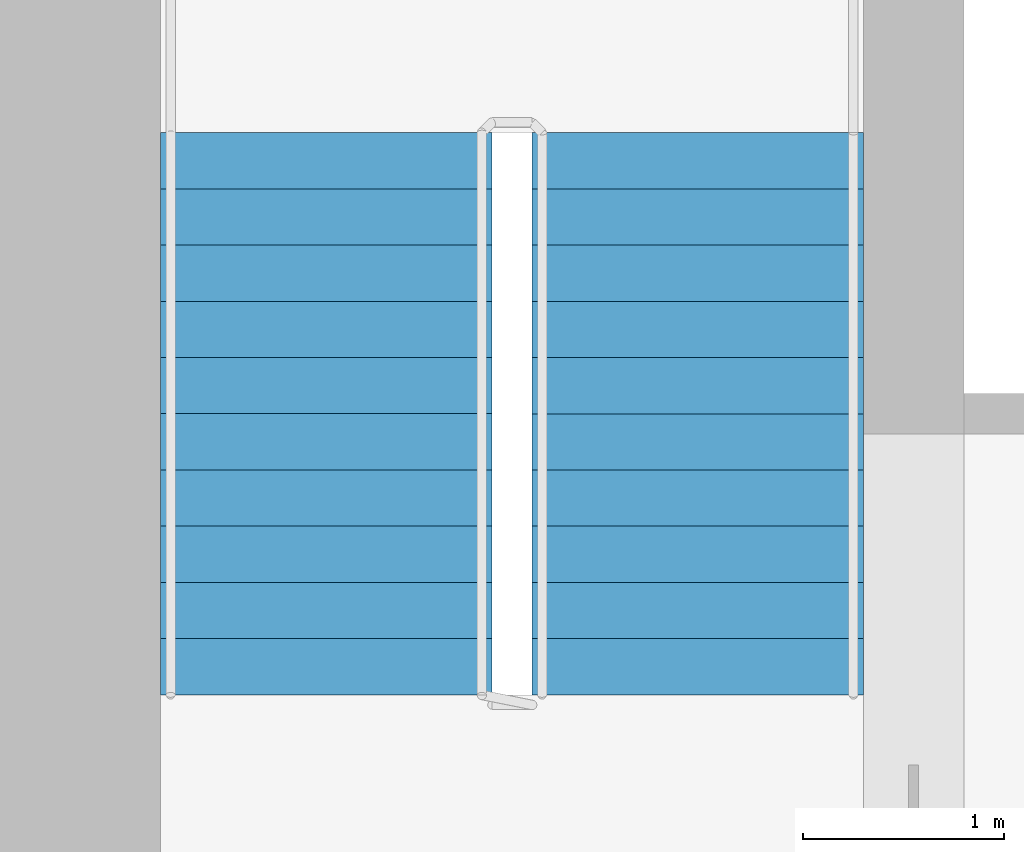
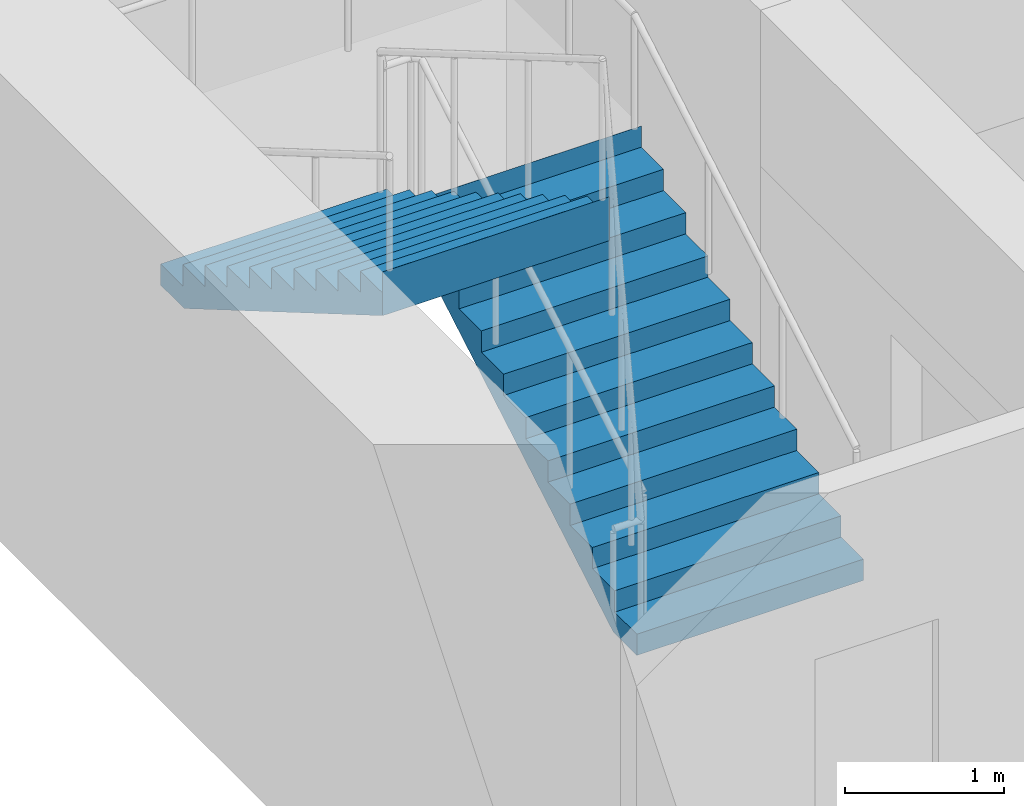
# One storey, part 13 of 14: 2 stair flights, 1 element without a shape of its own.
"""IFC4 building model written with IfcOpenShell, lengths in metres."""

import ifcopenshell
import ifcopenshell.guid

model = None  # the IFC model being written
_history = None  # IfcOwnerHistory: only IFC2X3 demands one
_inside = {}  # id of a spatial element -> (the spatial element, [elements in it])
_under = {}  # id of a project, library or spatial element -> (it, [spatial elements below it])
_declared = {}  # id of a project -> (the project, [libraries it declares])
_typed = {}  # id of a type object -> (the type object, [elements of that type])
_made_of = {}  # id of a material, layer set ... -> (it, [elements and type objects made of it])


def new_model(schema):
    """Start an empty IFC model of exactly this schema.

    Asked for "IFC4X3", IfcOpenShell would pick the latest addendum, in which some entities
    have other attributes; the version numbers below select the first issue.
    IFC2X3 requires an IfcOwnerHistory on every rooted entity: one is made here for all.
    """
    global model, _history
    if schema == "IFC4X3":
        model = ifcopenshell.file(schema_version=(4, 3, 0, 0))
    else:
        model = ifcopenshell.file(schema=schema)
    _inside.clear()
    _under.clear()
    _declared.clear()
    _typed.clear()
    _made_of.clear()
    _history = None
    if model.schema == "IFC2X3":
        org = make("IfcOrganization", Name="unknown")
        user = make(
            "IfcPersonAndOrganization",
            ThePerson=make("IfcPerson", FamilyName="unknown"),
            TheOrganization=org,
        )
        app = make(
            "IfcApplication",
            ApplicationDeveloper=org,
            Version="unknown",
            ApplicationFullName="unknown",
            ApplicationIdentifier="unknown",
        )
        _history = make(
            "IfcOwnerHistory",
            OwningUser=user,
            OwningApplication=app,
            ChangeAction="ADDED",
            CreationDate=0,
        )
    return model


def make(cls, **values):
    """One entity of the class cls with the attributes given. An attribute that is None is left unset."""
    return model.create_entity(
        cls, **{name: value for name, value in values.items() if value is not None}
    )


def rooted(cls, **values):
    """An entity with a GlobalId (a new one), such as an element, a storey or a relation."""
    return make(cls, GlobalId=ifcopenshell.guid.new(), OwnerHistory=_history, **values)


def si_unit(unit_type, name, prefix=None):
    """IfcSIUnit, for example si_unit("LENGTHUNIT", "METRE", prefix="MILLI")."""
    return make("IfcSIUnit", UnitType=unit_type, Prefix=prefix, Name=name)


def assignment(units):
    """IfcUnitAssignment: the units of a project."""
    return None if units is None else make("IfcUnitAssignment", Units=units)


def point(xyz):
    """IfcCartesianPoint."""
    return None if xyz is None else make("IfcCartesianPoint", Coordinates=xyz)


def direction(xyz):
    """IfcDirection."""
    return None if xyz is None else make("IfcDirection", DirectionRatios=xyz)


def frame(location, z_axis=None, x_axis=None):
    """IfcAxis2Placement3D, a coordinate frame: its origin and axes. An axis left out is left unset."""
    return make(
        "IfcAxis2Placement3D",
        Location=point(location),
        Axis=direction(z_axis),
        RefDirection=direction(x_axis),
    )


def origin():
    """The frame at (0, 0, 0) with its axes left unset."""
    return frame((0.0, 0.0, 0.0))


def place(relative_to, where):
    """IfcLocalPlacement: puts the frame where relative to a parent placement (None: the world)."""
    return make(
        "IfcLocalPlacement", PlacementRelTo=relative_to, RelativePlacement=where
    )


def context(
    kind, dimensions, precision=None, world=None, true_north=None, identifier=None
):
    """IfcGeometricRepresentationContext, for example the 3D "Model" context."""
    return make(
        "IfcGeometricRepresentationContext",
        ContextIdentifier=identifier,
        ContextType=kind,
        CoordinateSpaceDimension=dimensions,
        Precision=precision,
        WorldCoordinateSystem=world,
        TrueNorth=true_north,
    )


def subcontext(parent, identifier, kind, view, scale=None):
    """IfcGeometricRepresentationSubContext, for example "Body" below "Model"."""
    return make(
        "IfcGeometricRepresentationSubContext",
        ContextIdentifier=identifier,
        ContextType=kind,
        ParentContext=parent,
        TargetScale=scale,
        TargetView=view,
    )


def project(units=None, contexts=None):
    """IfcProject with its units and contexts."""
    return rooted(
        "IfcProject",
        Name="project",
        RepresentationContexts=contexts,
        UnitsInContext=assignment(units),
    )


def spatial(cls, under=None, at=None, **own):
    """A site, building, storey or space (cls), placed at a placement, below another one or the project."""
    s = rooted(cls, ObjectPlacement=at, **own)
    if under is not None:
        _under.setdefault(under.id(), (under, []))[1].append(s)
    return s


def polyline(points):
    """IfcPolyline through the points."""
    return make("IfcPolyline", Points=[point(p) for p in points])


def outline(outer, holes=None, kind="AREA"):
    """IfcArbitraryClosedProfileDef: a profile drawn as a closed curve; with holes, ...WithVoids."""
    if holes is None:
        return make("IfcArbitraryClosedProfileDef", ProfileType=kind, OuterCurve=outer)
    return make(
        "IfcArbitraryProfileDefWithVoids",
        ProfileType=kind,
        OuterCurve=outer,
        InnerCurves=holes,
    )


def extrude(swept, where, along, depth):
    """IfcExtrudedAreaSolid: the profile swept, set in the frame where, extruded along a direction by depth."""
    return make(
        "IfcExtrudedAreaSolid",
        SweptArea=swept,
        Position=where,
        ExtrudedDirection=direction(along),
        Depth=depth,
    )


def shape(context_of_items, identifier, shape_type, items):
    """IfcShapeRepresentation: the items that make up one representation, for example the "Body"."""
    return make(
        "IfcShapeRepresentation",
        ContextOfItems=context_of_items,
        RepresentationIdentifier=identifier,
        RepresentationType=shape_type,
        Items=items,
    )


def material(Name=None, Category=None):
    """IfcMaterial."""
    return make("IfcMaterial", Name=Name, Category=Category)


def made_of(thing, what):
    """Note that an element or type object is made of a material, layer set ...; save() writes the relation."""
    if what is not None:
        _made_of.setdefault(what.id(), (what, []))[1].append(thing)
    return thing


def type_object(cls, material=None, **own):
    """A type object (cls), such as IfcWallType, which elements share."""
    return made_of(rooted(cls, **own), material)


def element(
    cls,
    number,
    at=None,
    inside=None,
    cuts=None,
    type_object=None,
    material=None,
    context=None,
    identifier="Body",
    shape_type=None,
    held_by="IfcProductDefinitionShape",
    body=None,
    shapes=None,
    **own,
):
    """One element of the class cls, such as IfcWall. Its Tag is "e" and its number.

    at: its placement. inside: the storey or other place that contains it. cuts: it is an
    opening in that element (IfcRelVoidsElement). A single representation is given by context,
    identifier, shape_type and body (its items); several are given by shapes. held_by: the class
    of the entity that holds the representations. save() writes the other relations.
    """
    e = rooted(cls, Tag="e%d" % number, ObjectPlacement=at, **own)
    if body is not None:
        shapes = [shape(context, identifier, shape_type, body)]
    if shapes is not None:
        e.Representation = make(held_by, Representations=shapes)
    if inside is not None:
        _inside.setdefault(inside.id(), (inside, []))[1].append(e)
    if cuts is not None:
        rooted(
            "IfcRelVoidsElement", RelatingBuildingElement=cuts, RelatedOpeningElement=e
        )
    if type_object is not None:
        _typed.setdefault(type_object.id(), (type_object, []))[1].append(e)
    return made_of(e, material)


def aggregate(whole, parts):
    """IfcRelAggregates: a whole, such as a stair, and the parts it consists of."""
    return rooted("IfcRelAggregates", RelatingObject=whole, RelatedObjects=parts)


def save(model, path):
    """Write the relations noted so far, then the file.

    IfcRelAggregates (storeys below a building ...), IfcRelContainedInSpatialStructure (elements
    in a storey), IfcRelDefinesByType, IfcRelAssociatesMaterial and IfcRelDeclares: one each for
    every whole, place, type object, material and project.
    """
    for whole, parts in _under.values():
        aggregate(whole, parts)
    for where, things in _inside.values():
        rooted(
            "IfcRelContainedInSpatialStructure",
            RelatedElements=things,
            RelatingStructure=where,
        )
    for kind, things in _typed.values():
        rooted("IfcRelDefinesByType", RelatedObjects=things, RelatingType=kind)
    for what, things in _made_of.values():
        rooted("IfcRelAssociatesMaterial", RelatedObjects=things, RelatingMaterial=what)
    for by, libraries in _declared.values():
        rooted("IfcRelDeclares", RelatingContext=by, RelatedDefinitions=libraries)
    model.write(path)


model = new_model("IFC4")

# Units and contexts
model_context = context("Model", 3, precision=1e-05, world=origin(), true_north=direction((0.0, 1.0)))
body_context = subcontext(model_context, "Body", "Model", "MODEL_VIEW")
ifc_project = project(units=[si_unit("LENGTHUNIT", "METRE"), si_unit("AREAUNIT", "SQUARE_METRE"), si_unit("VOLUMEUNIT", "CUBIC_METRE"), si_unit("PLANEANGLEUNIT", "RADIAN"), si_unit("MASSUNIT", "GRAM", prefix="KILO")], contexts=[model_context])

# Site, building, storey
site_placement = place(None, origin())
site = spatial("IfcSite", under=ifc_project, at=site_placement, CompositionType="ELEMENT")
building_placement = place(site_placement, origin())
building = spatial("IfcBuilding", under=site, at=building_placement, Name="Tamorin Gate", CompositionType="ELEMENT")
storey_placement = place(building_placement, frame((0.0, 0.0, 107.89990234375)))
storey = spatial("IfcBuildingStorey", under=building, at=storey_placement, Name="L26", CompositionType="ELEMENT", Elevation=107.89990234375)

# Stair, stair flights
ifc_material = material(Name="Concrete C40/50", Category="concrete")
stair_type = type_object("IfcStairType", Name="Exit stair", PredefinedType="HALF_TURN_STAIR", material=ifc_material)
stair_placement = place(storey_placement, origin())
stair = element("IfcStair", 1, at=stair_placement, inside=storey, type_object=stair_type, Name="L26 stair ST2", PredefinedType="HALF_TURN_STAIR")
stair_flight_type = type_object("IfcStairFlightType", Name="Exit stair flight", PredefinedType="STRAIGHT", material=ifc_material)
stair_flight_1_placement = place(storey_placement, frame((33.675048828125, 77.0, 0.0), z_axis=(0.0, 0.0, 1.0), x_axis=(0.0, 1.0, 0.0)))
stair_flight_1 = element("IfcStairFlight", 2, at=stair_flight_1_placement, type_object=stair_flight_type, Name="ST2 flight 1", NumberOfRisers=11, NumberOfTreads=10, PredefinedType="STRAIGHT", RiserHeight=0.163636364, TreadLength=0.28, context=body_context, shape_type="SweptSolid", body=[
    extrude(outline(polyline([(-0.00048828125, 0.0), (-0.00048828125, 0.001708984375), (-0.00048828125, 0.003173828125), (-0.00048828125, 0.0048828125), (-0.00048828125, 0.006591796875), (-0.00048828125, 0.008056640625), (-0.00048828125, 0.009765625), (-0.00048828125, 0.01123046875), (-0.00048828125, 0.012939453125), (-0.00048828125, 0.0146484375), (-0.00048828125, 0.01611328125), (-0.00048828125, 0.017822265625), (-0.00048828125, 0.01953125), (-0.00048828125, 0.02099609375), (-0.00048828125, 0.022705078125), (-0.00048828125, 0.0244140625), (-0.00048828125, 0.02587890625), (-0.00048828125, 0.027587890625), (-0.00048828125, 0.029052734375), (-0.00048828125, 0.03076171875), (-0.00048828125, 0.032470703125), (-0.00048828125, 0.033935546875), (-0.00048828125, 0.03564453125), (-0.00048828125, 0.037353515625), (-0.00048828125, 0.038818359375), (-0.00048828125, 0.04052734375), (-0.00048828125, 0.042236328125), (-0.00048828125, 0.043701171875), (-0.00048828125, 0.04541015625), (-0.00048828125, 0.046875), (-0.00048828125, 0.048583984375), (-0.00048828125, 0.05029296875), (-0.00048828125, 0.0517578125), (-0.00048828125, 0.053466796875), (-0.00048828125, 0.05517578125), (-0.00048828125, 0.056640625), (-0.00048828125, 0.058349609375), (-0.00048828125, 0.06005859375), (-0.00048828125, 0.0615234375), (-0.00048828125, 0.063232421875), (-0.00048828125, 0.064697265625), (-0.00048828125, 0.06640625), (-0.00048828125, 0.068115234375), (-0.00048828125, 0.069580078125), (-0.00048828125, 0.0712890625), (-0.00048828125, 0.072998046875), (-0.00048828125, 0.074462890625), (-0.00048828125, 0.076171875), (-0.00048828125, 0.077880859375), (-0.00048828125, 0.079345703125), (-0.00048828125, 0.0810546875), (-0.00048828125, 0.08251953125), (-0.00048828125, 0.084228515625), (-0.00048828125, 0.0859375), (-0.00048828125, 0.08740234375), (-0.00048828125, 0.089111328125), (-0.00048828125, 0.0908203125), (-0.00048828125, 0.09228515625), (-0.00048828125, 0.093994140625), (-0.00048828125, 0.095703125), (-0.00048828125, 0.09716796875), (-0.00048828125, 0.098876953125), (-0.00048828125, 0.100341796875), (-0.00048828125, 0.10205078125), (-0.00048828125, 0.103759765625), (-0.00048828125, 0.105224609375), (-0.00048828125, 0.10693359375), (-0.00048828125, 0.108642578125), (-0.00048828125, 0.110107421875), (-0.00048828125, 0.11181640625), (-0.00048828125, 0.113525390625), (-0.00048828125, 0.114990234375), (-0.00048828125, 0.11669921875), (-0.00048828125, 0.1181640625), (-0.00048828125, 0.119873046875), (-0.00048828125, 0.12158203125), (-0.00048828125, 0.123046875), (-0.00048828125, 0.124755859375), (-0.00048828125, 0.12646484375), (-0.00048828125, 0.1279296875), (-0.00048828125, 0.129638671875), (-0.00048828125, 0.13134765625), (-0.00048828125, 0.1328125), (-0.00048828125, 0.134521484375), (-0.00048828125, 0.135986328125), (-0.00048828125, 0.1376953125), (-0.00048828125, 0.139404296875), (-0.00048828125, 0.140869140625), (-0.00048828125, 0.142578125), (-0.00048828125, 0.144287109375), (-0.00048828125, 0.145751953125), (-0.00048828125, 0.1474609375), (-0.00048828125, 0.149169921875), (-0.00048828125, 0.150634765625), (-0.00048828125, 0.15234375), (-0.00048828125, 0.15380859375), (-0.00048828125, 0.155517578125), (-0.00048828125, 0.1572265625), (-0.00048828125, 0.15869140625), (-0.00048828125, 0.160400390625), (-0.00048828125, 0.162109375), (-0.00048828125, 0.16357421875), (0.280029296875, 0.16357421875), (0.280029296875, 0.327392578125), (0.56005859375, 0.327392578125), (0.56005859375, 0.490966796875), (0.840087890625, 0.490966796875), (0.840087890625, 0.654541015625), (1.1201171875, 0.654541015625), (1.1201171875, 0.818115234375), (1.39990234375, 0.818115234375), (1.39990234375, 0.98193359375), (1.679931640625, 0.98193359375), (1.679931640625, 1.1455078125), (1.9599609375, 1.1455078125), (1.9599609375, 1.30908203125), (2.239990234375, 1.30908203125), (2.239990234375, 1.47265625), (2.52001953125, 1.47265625), (2.52001953125, 1.636474609375), (2.800048828125, 1.636474609375), (2.800048828125, 1.800048828125), (2.800537109375, 1.800048828125), (2.800537109375, 1.796630859375), (2.800537109375, 1.793212890625), (2.800537109375, 1.7900390625), (2.800537109375, 1.78662109375), (2.800537109375, 1.783203125), (2.800537109375, 1.780029296875), (2.800537109375, 1.776611328125), (2.800537109375, 1.773193359375), (2.800537109375, 1.77001953125), (2.800537109375, 1.7666015625), (2.800537109375, 1.76318359375), (2.800537109375, 1.760009765625), (2.800537109375, 1.756591796875), (2.800537109375, 1.753173828125), (2.800537109375, 1.75), (2.800537109375, 1.74658203125), (2.800537109375, 1.7431640625), (2.800537109375, 1.739990234375), (2.800537109375, 1.736572265625), (2.800537109375, 1.733154296875), (2.800537109375, 1.72998046875), (2.800537109375, 1.7265625), (2.800537109375, 1.72314453125), (2.800537109375, 1.719970703125), (2.800537109375, 1.716552734375), (2.800537109375, 1.713134765625), (2.800537109375, 1.7099609375), (2.800537109375, 1.70654296875), (2.800537109375, 1.703125), (2.800537109375, 1.69970703125), (2.800537109375, 1.696533203125), (2.800537109375, 1.693115234375), (2.800537109375, 1.689697265625), (2.800537109375, 1.6865234375), (2.800537109375, 1.68310546875), (2.800537109375, 1.6796875), (2.800537109375, 1.676513671875), (2.800537109375, 1.673095703125), (2.800537109375, 1.669677734375), (2.800537109375, 1.66650390625), (2.800537109375, 1.6630859375), (2.800537109375, 1.65966796875), (2.800537109375, 1.656494140625), (2.800537109375, 1.653076171875), (2.800537109375, 1.649658203125), (2.800537109375, 1.646484375), (2.800537109375, 1.64306640625), (2.800537109375, 1.6396484375), (2.800537109375, 1.636474609375), (2.800537109375, 1.633056640625), (2.800537109375, 1.629638671875), (2.800537109375, 1.62646484375), (2.800537109375, 1.623046875), (2.800537109375, 1.61962890625), (2.800537109375, 1.616455078125), (2.800537109375, 1.613037109375), (2.800537109375, 1.609619140625), (2.800537109375, 1.6064453125), (2.800537109375, 1.60302734375), (2.800537109375, 1.599609375), (2.800537109375, 1.59619140625), (2.800537109375, 1.593017578125), (2.800537109375, 1.589599609375), (2.800537109375, 1.586181640625), (2.800537109375, 1.5830078125), (2.800537109375, 1.57958984375), (2.800537109375, 1.576171875), (2.800537109375, 1.572998046875), (2.800537109375, 1.569580078125), (2.800537109375, 1.566162109375), (2.800537109375, 1.56298828125), (2.800537109375, 1.5595703125), (2.800537109375, 1.55615234375), (2.800537109375, 1.552978515625), (2.800537109375, 1.549560546875), (2.800537109375, 1.546142578125), (2.800537109375, 1.54296875), (2.800537109375, 1.53955078125), (2.800537109375, 1.5361328125), (2.800537109375, 1.532958984375), (2.800537109375, 1.529541015625), (2.800537109375, 1.526123046875), (2.800537109375, 1.52294921875), (2.800537109375, 1.51953125), (2.800537109375, 1.51611328125), (2.800537109375, 1.512939453125), (2.800537109375, 1.509521484375), (2.800537109375, 1.506103515625), (2.800537109375, 1.5029296875), (2.800537109375, 1.49951171875), (2.800537109375, 1.49609375), (2.800537109375, 1.49267578125), (2.800537109375, 1.489501953125), (2.800537109375, 1.486083984375), (2.800537109375, 1.482666015625), (2.800537109375, 1.4794921875), (2.800537109375, 1.47607421875), (2.800537109375, 1.47265625), (2.800537109375, 1.469482421875), (2.800537109375, 1.466064453125), (2.800537109375, 1.462646484375), (2.800048828125, 1.462646484375), (0.297119140625, 0.0), (-0.00048828125, 0.0)])), frame((0.0, 0.824951171875, 0.0), z_axis=(0.0, -1.0, 0.0), x_axis=(1.0, 0.0, 0.0)), (0.0, 0.0, 1.0), 1.64990234375),
])
stair_flight_2_placement = place(storey_placement, frame((31.824951171875, 79.800048828125, 1.800048828125), z_axis=(0.0, 0.0, 1.0), x_axis=(0.0, -1.0, 0.0)))
stair_flight_2 = element("IfcStairFlight", 3, at=stair_flight_2_placement, type_object=stair_flight_type, Name="ST2 flight 2", NumberOfRisers=11, NumberOfTreads=10, PredefinedType="STRAIGHT", RiserHeight=0.163636364, TreadLength=0.28, context=body_context, shape_type="SweptSolid", body=[
    extrude(outline(polyline([(-0.00048828125, 0.0), (-0.00048828125, 0.001708984375), (-0.00048828125, 0.003173828125), (-0.00048828125, 0.0048828125), (-0.00048828125, 0.006591796875), (-0.00048828125, 0.008056640625), (-0.00048828125, 0.009765625), (-0.00048828125, 0.01123046875), (-0.00048828125, 0.012939453125), (-0.00048828125, 0.0146484375), (-0.00048828125, 0.01611328125), (-0.00048828125, 0.017822265625), (-0.00048828125, 0.01953125), (-0.00048828125, 0.02099609375), (-0.00048828125, 0.022705078125), (-0.00048828125, 0.0244140625), (-0.00048828125, 0.02587890625), (-0.00048828125, 0.027587890625), (-0.00048828125, 0.029052734375), (-0.00048828125, 0.03076171875), (-0.00048828125, 0.032470703125), (-0.00048828125, 0.033935546875), (-0.00048828125, 0.03564453125), (-0.00048828125, 0.037353515625), (-0.00048828125, 0.038818359375), (-0.00048828125, 0.04052734375), (-0.00048828125, 0.042236328125), (-0.00048828125, 0.043701171875), (-0.00048828125, 0.04541015625), (-0.00048828125, 0.046875), (-0.00048828125, 0.048583984375), (-0.00048828125, 0.05029296875), (-0.00048828125, 0.0517578125), (-0.00048828125, 0.053466796875), (-0.00048828125, 0.05517578125), (-0.00048828125, 0.056640625), (-0.00048828125, 0.058349609375), (-0.00048828125, 0.06005859375), (-0.00048828125, 0.0615234375), (-0.00048828125, 0.063232421875), (-0.00048828125, 0.064697265625), (-0.00048828125, 0.06640625), (-0.00048828125, 0.068115234375), (-0.00048828125, 0.069580078125), (-0.00048828125, 0.0712890625), (-0.00048828125, 0.072998046875), (-0.00048828125, 0.074462890625), (-0.00048828125, 0.076171875), (-0.00048828125, 0.077880859375), (-0.00048828125, 0.079345703125), (-0.00048828125, 0.0810546875), (-0.00048828125, 0.08251953125), (-0.00048828125, 0.084228515625), (-0.00048828125, 0.0859375), (-0.00048828125, 0.08740234375), (-0.00048828125, 0.089111328125), (-0.00048828125, 0.0908203125), (-0.00048828125, 0.09228515625), (-0.00048828125, 0.093994140625), (-0.00048828125, 0.095703125), (-0.00048828125, 0.09716796875), (-0.00048828125, 0.098876953125), (-0.00048828125, 0.100341796875), (-0.00048828125, 0.10205078125), (-0.00048828125, 0.103759765625), (-0.00048828125, 0.105224609375), (-0.00048828125, 0.10693359375), (-0.00048828125, 0.108642578125), (-0.00048828125, 0.110107421875), (-0.00048828125, 0.11181640625), (-0.00048828125, 0.113525390625), (-0.00048828125, 0.114990234375), (-0.00048828125, 0.11669921875), (-0.00048828125, 0.1181640625), (-0.00048828125, 0.119873046875), (-0.00048828125, 0.12158203125), (-0.00048828125, 0.123046875), (-0.00048828125, 0.124755859375), (-0.00048828125, 0.12646484375), (-0.00048828125, 0.1279296875), (-0.00048828125, 0.129638671875), (-0.00048828125, 0.13134765625), (-0.00048828125, 0.1328125), (-0.00048828125, 0.134521484375), (-0.00048828125, 0.135986328125), (-0.00048828125, 0.1376953125), (-0.00048828125, 0.139404296875), (-0.00048828125, 0.140869140625), (-0.00048828125, 0.142578125), (-0.00048828125, 0.144287109375), (-0.00048828125, 0.145751953125), (-0.00048828125, 0.1474609375), (-0.00048828125, 0.149169921875), (-0.00048828125, 0.150634765625), (-0.00048828125, 0.15234375), (-0.00048828125, 0.15380859375), (-0.00048828125, 0.155517578125), (-0.00048828125, 0.1572265625), (-0.00048828125, 0.15869140625), (-0.00048828125, 0.160400390625), (-0.00048828125, 0.162109375), (-0.00048828125, 0.16357421875), (0.280029296875, 0.16357421875), (0.280029296875, 0.327392578125), (0.56005859375, 0.327392578125), (0.56005859375, 0.490966796875), (0.840087890625, 0.490966796875), (0.840087890625, 0.654541015625), (1.1201171875, 0.654541015625), (1.1201171875, 0.818115234375), (1.39990234375, 0.818115234375), (1.39990234375, 0.98193359375), (1.679931640625, 0.98193359375), (1.679931640625, 1.1455078125), (1.9599609375, 1.1455078125), (1.9599609375, 1.30908203125), (2.239990234375, 1.30908203125), (2.239990234375, 1.47265625), (2.52001953125, 1.47265625), (2.52001953125, 1.636474609375), (2.800048828125, 1.636474609375), (2.800048828125, 1.800048828125), (2.800537109375, 1.800048828125), (2.800537109375, 1.796630859375), (2.800537109375, 1.793212890625), (2.800537109375, 1.7900390625), (2.800537109375, 1.78662109375), (2.800537109375, 1.783203125), (2.800537109375, 1.780029296875), (2.800537109375, 1.776611328125), (2.800537109375, 1.773193359375), (2.800537109375, 1.77001953125), (2.800537109375, 1.7666015625), (2.800537109375, 1.76318359375), (2.800537109375, 1.760009765625), (2.800537109375, 1.756591796875), (2.800537109375, 1.753173828125), (2.800537109375, 1.75), (2.800537109375, 1.74658203125), (2.800537109375, 1.7431640625), (2.800537109375, 1.739990234375), (2.800537109375, 1.736572265625), (2.800537109375, 1.733154296875), (2.800537109375, 1.72998046875), (2.800537109375, 1.7265625), (2.800537109375, 1.72314453125), (2.800537109375, 1.719970703125), (2.800537109375, 1.716552734375), (2.800537109375, 1.713134765625), (2.800537109375, 1.7099609375), (2.800537109375, 1.70654296875), (2.800537109375, 1.703125), (2.800537109375, 1.69970703125), (2.800537109375, 1.696533203125), (2.800537109375, 1.693115234375), (2.800537109375, 1.689697265625), (2.800537109375, 1.6865234375), (2.800537109375, 1.68310546875), (2.800537109375, 1.6796875), (2.800537109375, 1.676513671875), (2.800537109375, 1.673095703125), (2.800537109375, 1.669677734375), (2.800537109375, 1.66650390625), (2.800537109375, 1.6630859375), (2.800537109375, 1.65966796875), (2.800537109375, 1.656494140625), (2.800537109375, 1.653076171875), (2.800537109375, 1.649658203125), (2.800537109375, 1.646484375), (2.800537109375, 1.64306640625), (2.800537109375, 1.6396484375), (2.800537109375, 1.636474609375), (2.800537109375, 1.633056640625), (2.800537109375, 1.629638671875), (2.800537109375, 1.62646484375), (2.800537109375, 1.623046875), (2.800537109375, 1.61962890625), (2.800537109375, 1.616455078125), (2.800537109375, 1.613037109375), (2.800537109375, 1.609619140625), (2.800537109375, 1.6064453125), (2.800537109375, 1.60302734375), (2.800537109375, 1.599609375), (2.800537109375, 1.59619140625), (2.800537109375, 1.593017578125), (2.800537109375, 1.589599609375), (2.800537109375, 1.586181640625), (2.800537109375, 1.5830078125), (2.800537109375, 1.57958984375), (2.800537109375, 1.576171875), (2.800537109375, 1.572998046875), (2.800537109375, 1.569580078125), (2.800537109375, 1.566162109375), (2.800537109375, 1.56298828125), (2.800537109375, 1.5595703125), (2.800537109375, 1.55615234375), (2.800537109375, 1.552978515625), (2.800537109375, 1.549560546875), (2.800537109375, 1.546142578125), (2.800537109375, 1.54296875), (2.800537109375, 1.53955078125), (2.800537109375, 1.5361328125), (2.800537109375, 1.532958984375), (2.800537109375, 1.529541015625), (2.800537109375, 1.526123046875), (2.800537109375, 1.52294921875), (2.800537109375, 1.51953125), (2.800537109375, 1.51611328125), (2.800537109375, 1.512939453125), (2.800537109375, 1.509521484375), (2.800537109375, 1.506103515625), (2.800537109375, 1.5029296875), (2.800537109375, 1.49951171875), (2.800537109375, 1.49609375), (2.800537109375, 1.49267578125), (2.800537109375, 1.489501953125), (2.800537109375, 1.486083984375), (2.800537109375, 1.482666015625), (2.800537109375, 1.4794921875), (2.800537109375, 1.47607421875), (2.800537109375, 1.47265625), (2.800537109375, 1.469482421875), (2.800537109375, 1.466064453125), (2.800537109375, 1.462646484375), (2.800048828125, 1.462646484375), (0.297119140625, 0.0), (-0.00048828125, 0.0)])), frame((0.0, 0.824951171875, 0.0), z_axis=(0.0, -1.0, 0.0), x_axis=(1.0, 0.0, 0.0)), (0.0, 0.0, 1.0), 1.64990234375),
])
aggregate(stair, [stair_flight_1, stair_flight_2])

save(model, "model.ifc")
